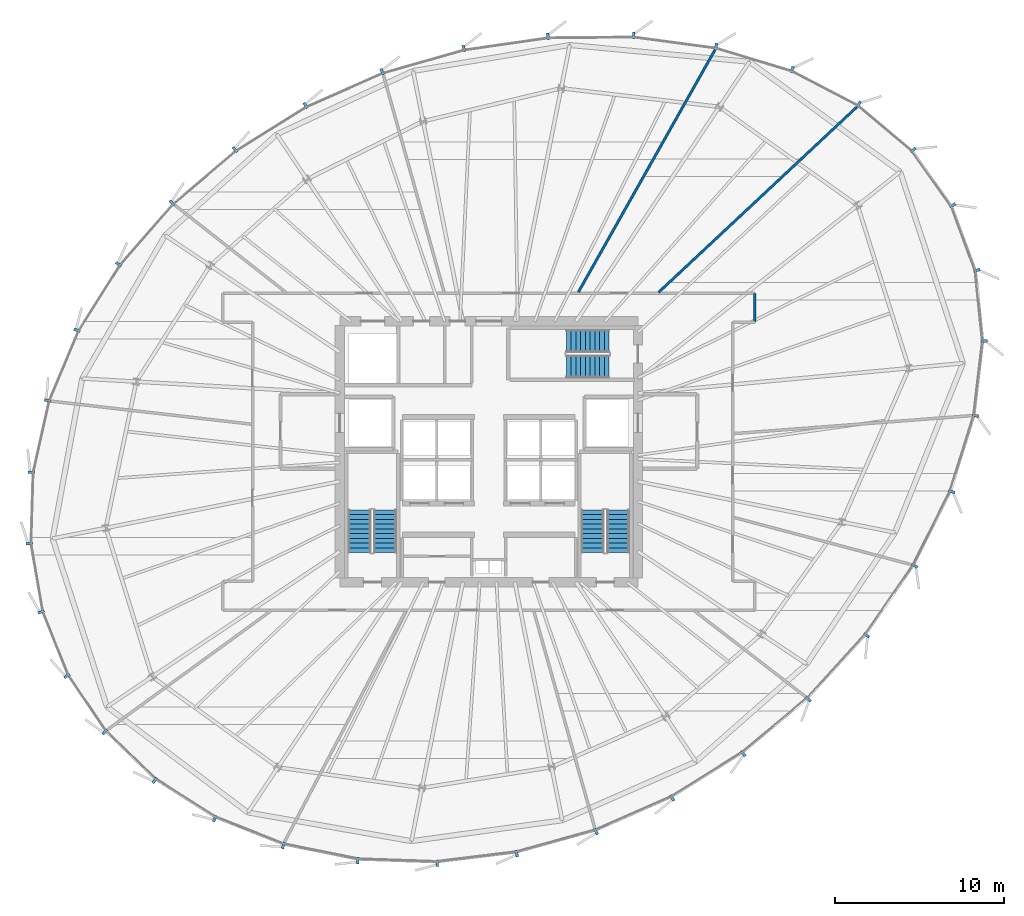
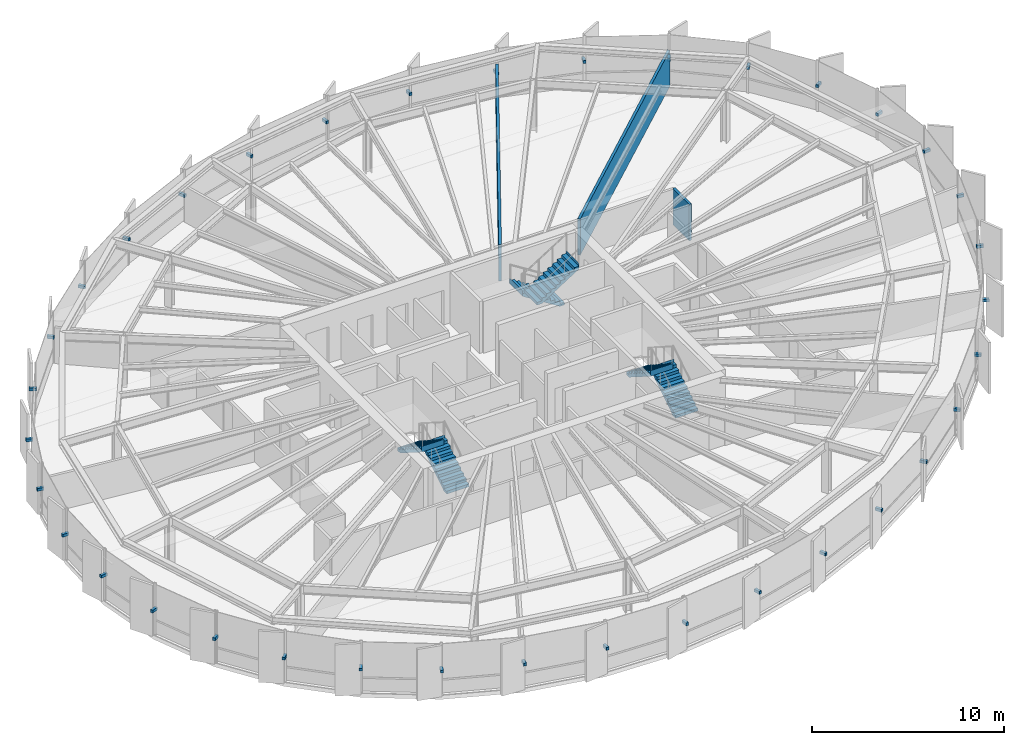
# One storey, part 31 of 35: 36 discrete accessories, 6 stair flights, 3 walls, 3 elements without a shape of their own.
"""IFC4 building model written with IfcOpenShell, lengths in metres."""

from ifc_helpers import new_model, si_unit, direction, frame, frame_2d, origin, origin_2d, place, context, subcontext, project, spatial, polyline, rectangle, outline, extrude, source, transform, mapped, material, layer, layer_set, type_object, element, aggregate, save


model = new_model("IFC4")

# Units and contexts
model_context = context("Model", 3, precision=1e-05, world=origin(), true_north=direction((0.0, 1.0)))
body_context = subcontext(model_context, "Body", "Model", "MODEL_VIEW")
ifc_project = project(units=[si_unit("LENGTHUNIT", "METRE"), si_unit("AREAUNIT", "SQUARE_METRE"), si_unit("VOLUMEUNIT", "CUBIC_METRE"), si_unit("PLANEANGLEUNIT", "RADIAN"), si_unit("MASSUNIT", "GRAM", prefix="KILO"), si_unit("THERMODYNAMICTEMPERATUREUNIT", "KELVIN")], contexts=[model_context])

# Site, building, storey
site_placement = place(None, origin())
site = spatial("IfcSite", under=ifc_project, at=site_placement, CompositionType="ELEMENT")
building_placement = place(site_placement, origin())
building = spatial("IfcBuilding", under=site, at=building_placement, Name="Kethvar Cultural Tower", CompositionType="ELEMENT")
storey_placement = place(building_placement, frame((0.0, 0.0, 146.550048828125)))
storey = spatial("IfcBuildingStorey", under=building, at=storey_placement, Name="L37", CompositionType="ELEMENT", Elevation=146.550048828125)

# Walls
ifc_material_1 = material(Name="Gypsum Fireboard Partition")
ifc_layer_1 = layer(ifc_material_1, 0.14990234375, Name="Gypsum Fireboard Partition")
ifc_layer_set_1 = layer_set([ifc_layer_1], Name="Gypsum Fireboard Partition (150 mm)")
wall_type_1 = type_object("IfcWallType", Name="WL-FIRE-150", PredefinedType="PARTITIONING", material=ifc_layer_set_1)
wall_1_placement = place(storey_placement, frame((62.5, 35.449951171875, 0.0), z_axis=(0.0, 0.0, 1.0), x_axis=(0.0, 1.0, 0.0)))
element("IfcWall", 1, at=wall_1_placement, inside=storey, type_object=wall_type_1, Name="L37 Corridor Rated Wall EN", PredefinedType="PARTITIONING", context=body_context, shape_type="SweptSolid", body=[
    extrude(rectangle(XDim=1.699951171875, YDim=0.14990234375, at=frame_2d((0.85009765625, 0.0))), origin(), (0.0, 0.0, 1.0), 2.304931640625),
])
ifc_material_2 = material(Name="Gypsum Acoustic Partition")
ifc_layer_2 = layer(ifc_material_2, 0.14990234375, Name="Gypsum Acoustic Partition")
ifc_layer_set_2 = layer_set([ifc_layer_2], Name="Gypsum Acoustic Partition (150 mm)")
wall_type_2 = type_object("IfcWallType", Name="WL-PART-150", PredefinedType="PARTITIONING", material=ifc_layer_set_2)
wall_2_placement = place(storey_placement, frame((56.814208984375, 37.20458984375, 0.0), z_axis=(0.0, 0.0, 1.0), x_axis=(0.730459008083, 0.68295654145, 0.0)))
element("IfcWall", 2, at=wall_2_placement, inside=storey, type_object=wall_type_2, Name="L37 Radial Partition Wall 07", PredefinedType="PARTITIONING", context=body_context, shape_type="SweptSolid", body=[
    extrude(rectangle(XDim=16.02001953125, YDim=0.14990234375, at=frame_2d((8.010009765625, 0.0))), origin(), (0.0, 0.0, 1.0), 2.304931640625),
])
wall_3_placement = place(storey_placement, frame((52.08203125, 37.2197265625, 0.0), z_axis=(0.0, 0.0, 1.0), x_axis=(0.49120982272, 0.871041279196, 0.0)))
element("IfcWall", 3, at=wall_3_placement, inside=storey, type_object=wall_type_2, Name="L37 Radial Partition Wall 08", PredefinedType="PARTITIONING", context=body_context, shape_type="SweptSolid", body=[
    extrude(rectangle(XDim=16.41796875, YDim=0.14990234375, at=frame_2d((8.208984375, 0.0))), origin(), (0.0, 0.0, 1.0), 2.304931640625),
])

# Stair, stair flights
ifc_material_3 = material(Name="Concrete C40/50", Category="concrete")
stair_type = type_object("IfcStairType", Name="ST-DOGLEG-135", PredefinedType="HALF_TURN_STAIR", material=ifc_material_3)
stair_1_placement = place(storey_placement, origin())
stair_1 = element("IfcStair", 4, at=stair_1_placement, inside=storey, type_object=stair_type, Name="L37 Core Exit Stair 1", PredefinedType="HALF_TURN_STAIR")
stair_flight_type = type_object("IfcStairFlightType", Name="FL-STRAIGHT-135", PredefinedType="STRAIGHT", material=ifc_material_3)
stair_flight_1_placement = place(storey_placement, frame((40.675048828125, 21.85009765625, 0.0), z_axis=(0.0, 0.0, 1.0), x_axis=(0.0, 1.0, 0.0)))
stair_flight_1 = element("IfcStairFlight", 5, at=stair_flight_1_placement, type_object=stair_flight_type, Name="ST-01 flight 1", NumberOfRisers=10, NumberOfTreads=9, PredefinedType="STRAIGHT", RiserHeight=0.1775, TreadLength=0.28, context=body_context, shape_type="SweptSolid", body=[
    extrude(outline(polyline([(-0.0009765625, -0.0009765625), (-0.0009765625, 0.177490234375), (0.280029296875, 0.177490234375), (0.280029296875, 0.35498046875), (0.56005859375, 0.35498046875), (0.56005859375, 0.532470703125), (0.840087890625, 0.532470703125), (0.840087890625, 0.7099609375), (1.1201171875, 0.7099609375), (1.1201171875, 0.887451171875), (1.39990234375, 0.887451171875), (1.39990234375, 1.06494140625), (1.679931640625, 1.06494140625), (1.679931640625, 1.242431640625), (1.9599609375, 1.242431640625), (1.9599609375, 1.419921875), (2.239990234375, 1.419921875), (2.239990234375, 1.597412109375), (2.52001953125, 1.597412109375), (2.52001953125, 1.77490234375), (2.52099609375, 1.77490234375), (2.52099609375, 1.419921875), (0.280029296875, 0.0), (0.0, -0.0009765625), (-0.0009765625, -0.0009765625)])), frame((0.0, 0.675048828125, 0.0), z_axis=(0.0, -1.0, 0.0), x_axis=(1.0, 0.0, 0.0)), (0.0, 0.0, 1.0), 1.35009765625),
])
stair_flight_2_placement = place(storey_placement, frame((39.1650390625, 24.3701171875, 1.77490234375), z_axis=(0.0, 0.0, 1.0), x_axis=(0.0, -1.0, 0.0)))
stair_flight_2 = element("IfcStairFlight", 6, at=stair_flight_2_placement, type_object=stair_flight_type, Name="ST-01 flight 2", NumberOfRisers=10, NumberOfTreads=9, PredefinedType="STRAIGHT", RiserHeight=0.1775, TreadLength=0.28, context=body_context, shape_type="SweptSolid", body=[
    extrude(outline(polyline([(-0.0009765625, -0.0009765625), (-0.0009765625, 0.177490234375), (0.280029296875, 0.177490234375), (0.280029296875, 0.35498046875), (0.56005859375, 0.35498046875), (0.56005859375, 0.532470703125), (0.840087890625, 0.532470703125), (0.840087890625, 0.7099609375), (1.1201171875, 0.7099609375), (1.1201171875, 0.887451171875), (1.39990234375, 0.887451171875), (1.39990234375, 1.06494140625), (1.679931640625, 1.06494140625), (1.679931640625, 1.242431640625), (1.9599609375, 1.242431640625), (1.9599609375, 1.419921875), (2.239990234375, 1.419921875), (2.239990234375, 1.597412109375), (2.52001953125, 1.597412109375), (2.52001953125, 1.77490234375), (2.52099609375, 1.77490234375), (2.52099609375, 1.419921875), (0.280029296875, 0.0), (0.0, -0.0009765625), (-0.0009765625, -0.0009765625)])), frame((0.0, 0.675048828125, 0.0), z_axis=(0.0, -1.0, 0.0), x_axis=(1.0, 0.0, 0.0)), (0.0, 0.0, 1.0), 1.35009765625),
])
aggregate(stair_1, [stair_flight_1, stair_flight_2])

stair_2_placement = place(storey_placement, origin())
stair_2 = element("IfcStair", 7, at=stair_2_placement, inside=storey, type_object=stair_type, Name="L37 Core Exit Stair 2", PredefinedType="HALF_TURN_STAIR")
stair_flight_3_placement = place(storey_placement, frame((54.43505859375, 21.85009765625, 0.0), z_axis=(0.0, 0.0, 1.0), x_axis=(0.0, 1.0, 0.0)))
stair_flight_3 = element("IfcStairFlight", 8, at=stair_flight_3_placement, type_object=stair_flight_type, Name="ST-02 flight 1", NumberOfRisers=10, NumberOfTreads=9, PredefinedType="STRAIGHT", RiserHeight=0.1775, TreadLength=0.28, context=body_context, shape_type="SweptSolid", body=[
    extrude(outline(polyline([(-0.0009765625, -0.0009765625), (-0.0009765625, 0.177490234375), (0.280029296875, 0.177490234375), (0.280029296875, 0.35498046875), (0.56005859375, 0.35498046875), (0.56005859375, 0.532470703125), (0.840087890625, 0.532470703125), (0.840087890625, 0.7099609375), (1.1201171875, 0.7099609375), (1.1201171875, 0.887451171875), (1.39990234375, 0.887451171875), (1.39990234375, 1.06494140625), (1.679931640625, 1.06494140625), (1.679931640625, 1.242431640625), (1.9599609375, 1.242431640625), (1.9599609375, 1.419921875), (2.239990234375, 1.419921875), (2.239990234375, 1.597412109375), (2.52001953125, 1.597412109375), (2.52001953125, 1.77490234375), (2.52099609375, 1.77490234375), (2.52099609375, 1.419921875), (0.280029296875, 0.0), (0.0, -0.0009765625), (-0.0009765625, -0.0009765625)])), frame((0.0, 0.675048828125, 0.0), z_axis=(0.0, -1.0, 0.0), x_axis=(1.0, 0.0, 0.0)), (0.0, 0.0, 1.0), 1.35009765625),
])
stair_flight_4_placement = place(storey_placement, frame((52.925048828125, 24.3701171875, 1.77490234375), z_axis=(0.0, 0.0, 1.0), x_axis=(0.0, -1.0, 0.0)))
stair_flight_4 = element("IfcStairFlight", 9, at=stair_flight_4_placement, type_object=stair_flight_type, Name="ST-02 flight 2", NumberOfRisers=10, NumberOfTreads=9, PredefinedType="STRAIGHT", RiserHeight=0.1775, TreadLength=0.28, context=body_context, shape_type="SweptSolid", body=[
    extrude(outline(polyline([(-0.0009765625, -0.0009765625), (-0.0009765625, 0.177490234375), (0.280029296875, 0.177490234375), (0.280029296875, 0.35498046875), (0.56005859375, 0.35498046875), (0.56005859375, 0.532470703125), (0.840087890625, 0.532470703125), (0.840087890625, 0.7099609375), (1.1201171875, 0.7099609375), (1.1201171875, 0.887451171875), (1.39990234375, 0.887451171875), (1.39990234375, 1.06494140625), (1.679931640625, 1.06494140625), (1.679931640625, 1.242431640625), (1.9599609375, 1.242431640625), (1.9599609375, 1.419921875), (2.239990234375, 1.419921875), (2.239990234375, 1.597412109375), (2.52001953125, 1.597412109375), (2.52001953125, 1.77490234375), (2.52099609375, 1.77490234375), (2.52099609375, 1.419921875), (0.280029296875, 0.0), (0.0, -0.0009765625), (-0.0009765625, -0.0009765625)])), frame((0.0, 0.675048828125, 0.0), z_axis=(0.0, -1.0, 0.0), x_axis=(1.0, 0.0, 0.0)), (0.0, 0.0, 1.0), 1.35009765625),
])
aggregate(stair_2, [stair_flight_3, stair_flight_4])

stair_3_placement = place(storey_placement, origin())
stair_3 = element("IfcStair", 10, at=stair_3_placement, inside=storey, type_object=stair_type, Name="L37 Core Exit Stair 3", PredefinedType="HALF_TURN_STAIR")
stair_flight_5_placement = place(storey_placement, frame((53.89990234375, 34.3349609375, 0.0), z_axis=(0.0, 0.0, 1.0), x_axis=(-1.0, 0.0, 0.0)))
stair_flight_5 = element("IfcStairFlight", 11, at=stair_flight_5_placement, type_object=stair_flight_type, Name="ST-03 flight 1", NumberOfRisers=10, NumberOfTreads=9, PredefinedType="STRAIGHT", RiserHeight=0.1775, TreadLength=0.28, context=body_context, shape_type="SweptSolid", body=[
    extrude(outline(polyline([(-0.0009765625, -0.0009765625), (-0.0009765625, 0.177490234375), (0.280029296875, 0.177490234375), (0.280029296875, 0.35498046875), (0.56005859375, 0.35498046875), (0.56005859375, 0.532470703125), (0.840087890625, 0.532470703125), (0.840087890625, 0.7099609375), (1.1201171875, 0.7099609375), (1.1201171875, 0.887451171875), (1.39990234375, 0.887451171875), (1.39990234375, 1.06494140625), (1.679931640625, 1.06494140625), (1.679931640625, 1.242431640625), (1.9599609375, 1.242431640625), (1.9599609375, 1.419921875), (2.239990234375, 1.419921875), (2.239990234375, 1.597412109375), (2.52001953125, 1.597412109375), (2.52001953125, 1.77490234375), (2.52099609375, 1.77490234375), (2.52099609375, 1.419921875), (0.280029296875, 0.0), (0.0, -0.0009765625), (-0.0009765625, -0.0009765625)])), frame((0.0, 0.675048828125, 0.0), z_axis=(0.0, -1.0, 0.0), x_axis=(1.0, 0.0, 0.0)), (0.0, 0.0, 1.0), 1.35009765625),
])
stair_flight_6_placement = place(storey_placement, frame((51.3798828125, 32.824951171875, 1.77490234375), z_axis=(0.0, 0.0, 1.0), x_axis=(1.0, 0.0, 0.0)))
stair_flight_6 = element("IfcStairFlight", 12, at=stair_flight_6_placement, type_object=stair_flight_type, Name="ST-03 flight 2", NumberOfRisers=10, NumberOfTreads=9, PredefinedType="STRAIGHT", RiserHeight=0.1775, TreadLength=0.28, context=body_context, shape_type="SweptSolid", body=[
    extrude(outline(polyline([(-0.0009765625, -0.0009765625), (-0.0009765625, 0.177490234375), (0.280029296875, 0.177490234375), (0.280029296875, 0.35498046875), (0.56005859375, 0.35498046875), (0.56005859375, 0.532470703125), (0.840087890625, 0.532470703125), (0.840087890625, 0.7099609375), (1.1201171875, 0.7099609375), (1.1201171875, 0.887451171875), (1.39990234375, 0.887451171875), (1.39990234375, 1.06494140625), (1.679931640625, 1.06494140625), (1.679931640625, 1.242431640625), (1.9599609375, 1.242431640625), (1.9599609375, 1.419921875), (2.239990234375, 1.419921875), (2.239990234375, 1.597412109375), (2.52001953125, 1.597412109375), (2.52001953125, 1.77490234375), (2.52099609375, 1.77490234375), (2.52099609375, 1.419921875), (0.280029296875, 0.0), (0.0, -0.0009765625), (-0.0009765625, -0.0009765625)])), frame((0.0, 0.675048828125, 0.0), z_axis=(0.0, -1.0, 0.0), x_axis=(1.0, 0.0, 0.0)), (0.0, 0.0, 1.0), 1.35009765625),
])
aggregate(stair_3, [stair_flight_5, stair_flight_6])

# Discrete accessories
ifc_material_4 = material(Name="Steel S355J2", Category="steel")
discrete_accessory_type = type_object("IfcDiscreteAccessoryType", Name="Steel Fin Bracket BRK-01", PredefinedType="BRACKET", material=ifc_material_4)
shared_shape = source(origin(), body_context, "Body", "SweptSolid", [
    extrude(rectangle(XDim=0.3798828125, YDim=0.159912109375, at=origin_2d()), origin(), (0.0, 0.0, 1.0), 0.179931640625),
])
for number, where, z_axis, x_axis, name in (
    (13, (74.185302734375, 42.344970703125, 1.56005859375), (0.0, 0.0, 1.0), (0.814419462102, 0.58027660624, 0.0), "L37 Terracotta Fin Bracket 1.1"),
    (14, (71.85595703125, 45.613525390625, 1.56005859375), (0.0, 0.0, 1.0), (0.644524053357, 0.764584033736, 0.0), "L37 Terracotta Fin Bracket 1.2"),
    (15, (68.64453125, 48.320068359375, 1.56005859375), (0.0, 0.0, 1.0), (0.461748613235, 0.887010833178, 0.0), "L37 Terracotta Fin Bracket 1.3"),
    (16, (64.70654296875, 50.36962890625, 1.56005859375), (0.0, 0.0, 1.0), (0.289031796944, 0.957319497532, 0.0), "L37 Terracotta Fin Bracket 1.4"),
    (17, (60.2119140625, 51.7265625, 1.56005859375), (0.0, 0.0, 1.0), (0.133294316036, 0.991076498214, 0.0), "L37 Terracotta Fin Bracket 1.5"),
    (18, (55.353759765625, 52.379638671875, 1.56005859375), (0.0, 0.0, 1.0), (-0.008726535498, 0.999961923064, 0.0), "L37 Terracotta Fin Bracket 1.6"),
    (19, (50.290771484375, 52.330078125, 1.56005859375), (0.0, 0.0, 1.0), (-0.142801680073, 0.989751322388, 0.0), "L37 Terracotta Fin Bracket 2.1"),
    (20, (45.3251953125, 51.61376953125, 1.56005859375), (0.0, 0.0, 1.0), (-0.273791358997, 0.961789109805, 0.0), "L37 Terracotta Fin Bracket 2.2"),
    (21, (40.500732421875, 50.239990234375, 1.56005859375), (0.0, 0.0, 1.0), (-0.404024312775, 0.914748246616, 0.0), "L37 Terracotta Fin Bracket 2.3"),
    (22, (35.97607421875, 48.241455078125, 1.56005859375), (0.0, 0.0, 1.0), (-0.529919264233, 0.848048096156, 0.0), "L37 Terracotta Fin Bracket 2.4"),
    (23, (31.810791015625, 45.638427734375, 1.56005859375), (0.0, 0.0, 1.0), (-0.646656658925, 0.762781204191, 0.0), "L37 Terracotta Fin Bracket 2.5"),
    (24, (28.101318359375, 42.49365234375, 1.56005859375), (0.0, 0.0, 1.0), (-0.752644789048, 0.658426777644, 0.0), "L37 Terracotta Fin Bracket 2.6"),
    (25, (24.938720703125, 38.869140625, 1.56005859375), (0.0, 0.0, 1.0), (-0.845820942125, 0.533466900438, 0.0), "L37 Terracotta Fin Bracket 3.1"),
    (26, (22.4814453125, 34.973388671875, 1.56005859375), (0.0, 0.0, 1.0), (-0.92213346383, 0.386871910179, 0.0), "L37 Terracotta Fin Bracket 3.2"),
    (27, (20.7421875, 30.82666015625, 1.56005859375), (0.0, 0.0, 1.0), (-0.975916761939, 0.218143241397, 0.0), "L37 Terracotta Fin Bracket 3.3"),
    (28, (19.794921875, 26.587646484375, 1.56005859375), (0.0, 0.0, 1.0), (-0.999544189894, 0.030189608314, 0.0), "L37 Terracotta Fin Bracket 3.4"),
    (29, (19.66796875, 22.385498046875, 1.56005859375), (0.0, 0.0, 1.0), (-0.985407898483, -0.170209499166, 0.0), "L37 Terracotta Fin Bracket 3.5"),
    (30, (20.365478515625, 18.34765625, 1.56005859375), (0.0, 0.0, 1.0), (-0.928420996825, -0.371529881241, 0.0), "L37 Terracotta Fin Bracket 3.6"),
    (31, (21.88818359375, 14.56494140625, 1.56005859375), (0.0, 0.0, 1.0), (-0.829135157501, -0.559048200602, 0.0), "L37 Terracotta Fin Bracket 4.1"),
    (32, (24.125, 11.247802734375, 1.56005859375), (0.0, 0.0, 1.0), (-0.694658370459, -0.719339800339, 0.0), "L37 Terracotta Fin Bracket 4.2"),
    (33, (27.072998046875, 8.40185546875, 1.56005859375), (0.0, 0.0, 1.0), (-0.536857935987, -0.843672659607, 0.0), "L37 Terracotta Fin Bracket 4.3"),
    (34, (30.619873046875, 6.14501953125, 1.56005859375), (0.0, 0.0, 1.0), (-0.368124552685, -0.929776485888, 0.0), "L37 Terracotta Fin Bracket 4.4"),
    (35, (34.658203125, 4.54638671875, 1.56005859375), (0.0, 0.0, 1.0), (-0.198341650538, -0.980132944892, 0.0), "L37 Terracotta Fin Bracket 4.5"),
    (36, (39.065673828125, 3.654296875, 1.56005859375), (0.0, 0.0, 1.0), (-0.034201781837, -0.999414947917, 0.0), "L37 Terracotta Fin Bracket 4.6"),
    (37, (43.74658203125, 3.500732421875, 1.56005859375), (0.0, 0.0, 1.0), (0.121522872021, -0.992588631597, 0.0), "L37 Terracotta Fin Bracket 5.1"),
    (38, (48.444091796875, 4.075927734375, 1.56005859375), (0.0, 0.0, 1.0), (0.267406557249, -0.963583796636, 0.0), "L37 Terracotta Fin Bracket 5.2"),
    (39, (53.130126953125, 5.37646484375, 1.56005859375), (0.0, 0.0, 1.0), (0.403545296352, -0.91495966785, 0.0), "L37 Terracotta Fin Bracket 5.3"),
    (40, (57.6240234375, 7.3583984375, 1.56005859375), (0.0, 0.0, 1.0), (0.529475154669, -0.848325444973, 0.0), "L37 Terracotta Fin Bracket 5.4"),
    (41, (61.820068359375, 9.977783203125, 1.56005859375), (0.0, 0.0, 1.0), (0.641583517377, -0.767053186051, 0.0), "L37 Terracotta Fin Bracket 5.5"),
    (42, (65.66796875, 13.19580078125, 1.56005859375), (0.0, 0.0, 1.0), (0.738337641411, -0.674431262084, 0.0), "L37 Terracotta Fin Bracket 5.6"),
    (43, (69.099853515625, 16.961181640625, 1.56005859375), (0.0, 0.0, 1.0), (0.822144041031, -0.569279523431, 0.0), "L37 Terracotta Fin Bracket 6.1"),
    (44, (71.93798828125, 21.06005859375, 1.56005859375), (0.0, 0.0, 1.0), (0.894622638699, -0.446822486371, 0.0), "L37 Terracotta Fin Bracket 6.2"),
    (45, (74.12841796875, 25.445556640625, 1.56005859375), (0.0, 0.0, 1.0), (0.954240328516, -0.299040792256, 0.0), "L37 Terracotta Fin Bracket 6.3"),
    (46, (75.5322265625, 29.92578125, 1.56005859375), (0.0, 0.0, 1.0), (0.993170649538, -0.116670737099, 0.0), "L37 Terracotta Fin Bracket 6.4"),
    (47, (76.05029296875, 34.335205078125, 1.56005859375), (0.0, 0.0, 1.0), (0.994648858722, 0.10331334785, 0.0), "L37 Terracotta Fin Bracket 6.5"),
    (48, (75.6162109375, 38.51318359375, 1.56005859375), (0.0, 0.0, 1.0), (0.937707150974, 0.347426681491, 0.0), "L37 Terracotta Fin Bracket 6.6"),
):
    element("IfcDiscreteAccessory", number, at=place(storey_placement, frame(where, z_axis=z_axis, x_axis=x_axis)), inside=storey, type_object=discrete_accessory_type, Name=name, PredefinedType="BRACKET", context=body_context, shape_type="MappedRepresentation", body=[
        mapped(shared_shape, transform((0.0, 0.0, 0.0), scale=1.0)),
    ])

save(model, "model.ifc")
